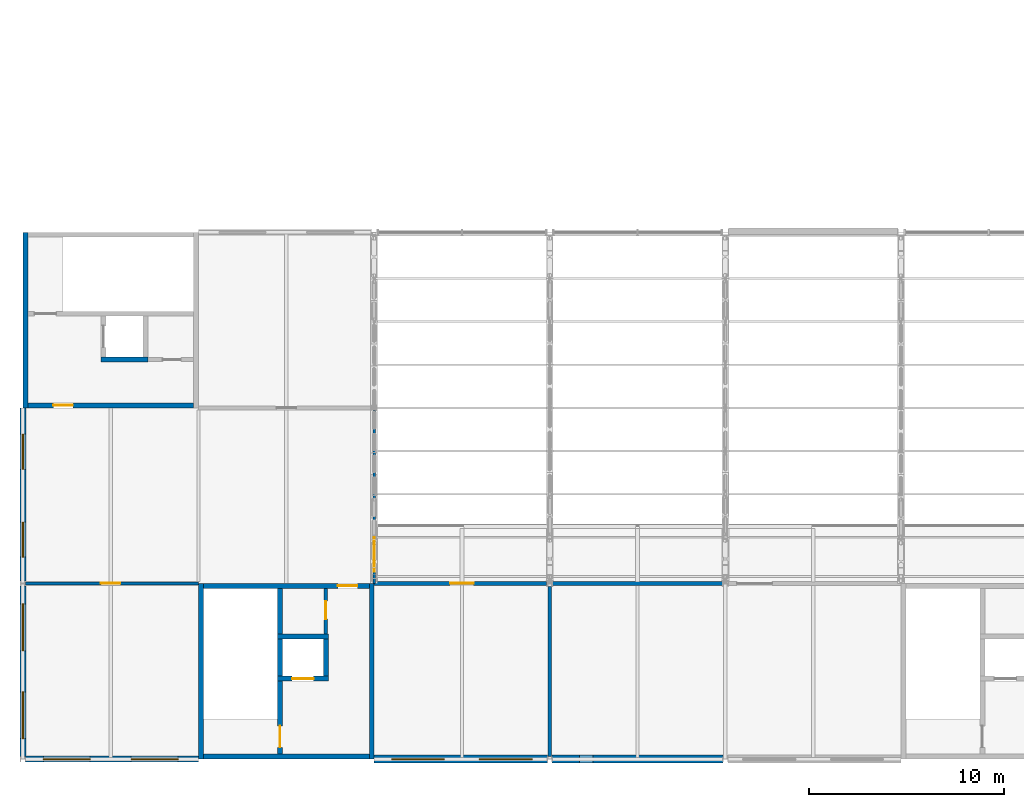
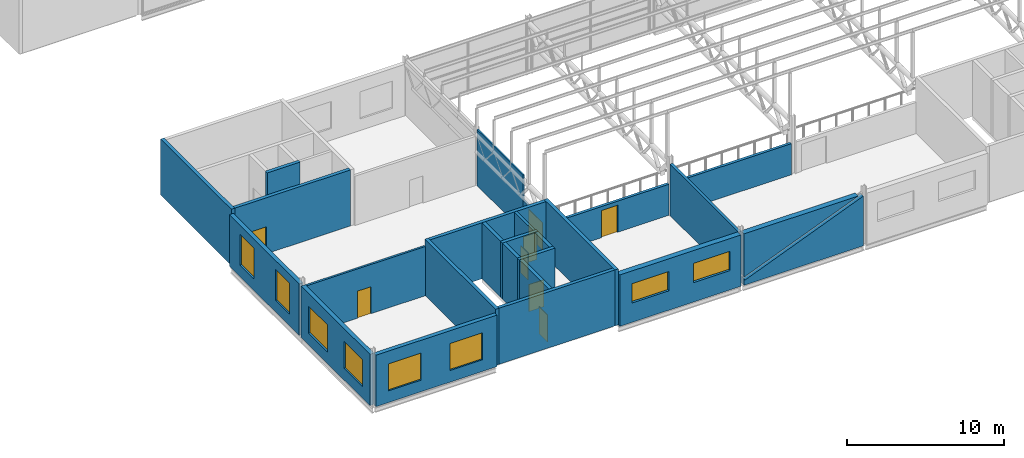
# One storey, part 111 of 138: 24 walls, 8 doors, 8 windows, 16 openings.
"""IFC4 building model written with IfcOpenShell, lengths in metres."""

from ifc_helpers import new_model, si_unit, direction, frame, frame_2d, origin, place, context, subcontext, project, spatial, polyline, rectangle, outline, extrude, material, layer, layer_set, type_object, element, fill, save


model = new_model("IFC4")

# Units and contexts
model_context = context("Model", 3, precision=1e-05, world=origin(), true_north=direction((0.0, 1.0)))
body_context = subcontext(model_context, "Body", "Model", "MODEL_VIEW")
ifc_project = project(units=[si_unit("LENGTHUNIT", "METRE"), si_unit("AREAUNIT", "SQUARE_METRE"), si_unit("VOLUMEUNIT", "CUBIC_METRE"), si_unit("PLANEANGLEUNIT", "RADIAN"), si_unit("MASSUNIT", "GRAM", prefix="KILO")], contexts=[model_context])

# Site, building, storey
site_placement = place(None, origin())
site = spatial("IfcSite", under=ifc_project, at=site_placement, CompositionType="ELEMENT")
building_placement = place(site_placement, origin())
building = spatial("IfcBuilding", under=site, at=building_placement, Name="Corbel Yard City Hall", CompositionType="ELEMENT")
storey_placement = place(building_placement, frame((0.0, 0.0, 10.5)))
storey = spatial("IfcBuildingStorey", under=building, at=storey_placement, Name="L02", CompositionType="ELEMENT", Elevation=10.5)

# Walls
ifc_material_1 = material(Name="Concrete N50 (50 MPa)", Category="concrete")
ifc_layer_1 = layer(ifc_material_1, 0.25)
ifc_layer_set_1 = layer_set([ifc_layer_1], Name="Concrete N50 (50 MPa)")
wall_type_1 = type_object("IfcWallType", Name="Core cell wall 250", PredefinedType="SHEAR", material=ifc_layer_set_1)
for number, where, z_axis, x_axis, name in (
    (1, (9.125, 0.0, 0.0), (0.0, 0.0, 1.0), (0.0, 1.0, 0.0), "Core PC-S0 west wall"),
    (2, (17.875, 0.0, 0.0), (0.0, 0.0, 1.0), (0.0, 1.0, 0.0), "Core PC-S0 east wall"),
):
    element("IfcWall", number, at=place(storey_placement, frame(where, z_axis=z_axis, x_axis=x_axis)), inside=storey, type_object=wall_type_1, Name=name, PredefinedType="SHEAR", context=body_context, shape_type="SweptSolid", body=[
        extrude(rectangle(XDim=9.0, YDim=0.25, at=frame_2d((4.5, 0.0))), origin(), (0.0, 0.0, 1.0), 4.35009765625),
    ])
wall_1_placement = place(storey_placement, frame((9.25, 0.125, 0.0), z_axis=(0.0, 0.0, 1.0), x_axis=(1.0, 0.0, 0.0)))
element("IfcWall", 3, at=wall_1_placement, inside=storey, type_object=wall_type_1, Name="Core PC-S0 south wall", PredefinedType="SHEAR", context=body_context, shape_type="SweptSolid", body=[
    extrude(rectangle(XDim=8.5, YDim=0.25, at=frame_2d((4.25, 0.0))), origin(), (0.0, 0.0, 1.0), 4.35009765625),
])

# Wall, opening, door
wall_2_placement = place(storey_placement, frame((9.25, 8.875, 0.0), z_axis=(0.0, 0.0, 1.0), x_axis=(1.0, 0.0, 0.0)))
wall_2 = element("IfcWall", 4, at=wall_2_placement, inside=storey, type_object=wall_type_1, Name="Core PC-S0 north wall", PredefinedType="SHEAR", context=body_context, shape_type="SweptSolid", body=[
    extrude(rectangle(XDim=8.5, YDim=0.25, at=frame_2d((4.25, 0.0))), origin(), (0.0, 0.0, 1.0), 4.35009765625),
])
opening_1_placement = place(wall_2_placement, frame((6.887451171875, 0.0, 0.0)))
opening_1 = element("IfcOpeningElement", 5, at=opening_1_placement, cuts=wall_2, Name="Opening L02-012", PredefinedType="OPENING", context=body_context, shape_type="SweptSolid", body=[
    extrude(rectangle(XDim=1.0, YDim=2.10009765625, at=frame_2d((0.5, 1.050048828125))), frame((0.0, 0.135009765625, 0.0), z_axis=(0.0, -1.0, 0.0), x_axis=(1.0, 0.0, 0.0)), (0.0, 0.0, 1.0), 0.27001953125),
])
ifc_material_2 = material(Name="Steel Grade G250", Category="steel")
door_type_1 = type_object("IfcDoorType", Name="FS1", OperationType="SINGLE_SWING_LEFT", PredefinedType="DOOR", material=ifc_material_2)
door_1_placement = place(opening_1_placement, frame((1.0, 0.0, 0.0), z_axis=(0.0, 0.0, 1.0), x_axis=(-1.0, 0.0, 0.0)))
door_1 = element("IfcDoor", 6, at=door_1_placement, inside=storey, type_object=door_type_1, Name="Door Lift Lobby", OperationType="SINGLE_SWING_RIGHT", OverallHeight=2.10009765625, OverallWidth=1.0, PredefinedType="DOOR", context=body_context, shape_type="SweptSolid", body=[
    extrude(rectangle(XDim=1.0, YDim=2.10009765625, at=frame_2d((0.5, 1.050048828125))), frame((0.0, 0.02490234375, 0.0), z_axis=(0.0, -1.0, 0.0), x_axis=(1.0, 0.0, 0.0)), (0.0, 0.0, 1.0), 0.050048828125),
])
fill(opening_1, door_1)

# Wall
wall_3_placement = place(storey_placement, frame((0.125, 18.0, 0.0), z_axis=(0.0, 0.0, 1.0), x_axis=(0.0, 1.0, 0.0)))
element("IfcWall", 7, at=wall_3_placement, inside=storey, type_object=wall_type_1, Name="Core PC-S5 west wall", PredefinedType="SHEAR", context=body_context, shape_type="SweptSolid", body=[
    extrude(rectangle(XDim=9.0, YDim=0.25, at=frame_2d((4.5, 0.0))), origin(), (0.0, 0.0, 1.0), 4.35009765625),
])

# Wall, opening, door
wall_4_placement = place(storey_placement, frame((0.25, 18.125, 0.0), z_axis=(0.0, 0.0, 1.0), x_axis=(1.0, 0.0, 0.0)))
wall_4 = element("IfcWall", 8, at=wall_4_placement, inside=storey, type_object=wall_type_1, Name="Core PC-S5 south wall", PredefinedType="SHEAR", context=body_context, shape_type="SweptSolid", body=[
    extrude(rectangle(XDim=8.5, YDim=0.25, at=frame_2d((4.25, 0.0))), origin(), (0.0, 0.0, 1.0), 4.35009765625),
])
opening_2_placement = place(wall_4_placement, frame((1.3125, 0.0, 0.0)))
opening_2 = element("IfcOpeningElement", 9, at=opening_2_placement, cuts=wall_4, Name="Opening L02-015", PredefinedType="OPENING", context=body_context, shape_type="SweptSolid", body=[
    extrude(rectangle(XDim=1.0, YDim=2.10009765625, at=frame_2d((0.5, 1.050048828125))), frame((0.0, 0.135009765625, 0.0), z_axis=(0.0, -1.0, 0.0), x_axis=(1.0, 0.0, 0.0)), (0.0, 0.0, 1.0), 0.27001953125),
])
door_2_placement = place(opening_2_placement, origin())
door_2 = element("IfcDoor", 10, at=door_2_placement, inside=storey, type_object=door_type_1, Name="Door Lift Lobby", OperationType="SINGLE_SWING_LEFT", OverallHeight=2.10009765625, OverallWidth=1.0, PredefinedType="DOOR", context=body_context, shape_type="SweptSolid", body=[
    extrude(rectangle(XDim=1.0, YDim=2.10009765625, at=frame_2d((0.5, 1.050048828125))), frame((0.0, 0.02490234375, 0.0), z_axis=(0.0, -1.0, 0.0), x_axis=(1.0, 0.0, 0.0)), (0.0, 0.0, 1.0), 0.050048828125),
])
fill(opening_2, door_2)

# Wall, openings, windows
ifc_material_3 = material(Name="Sandstone cladding", Category="masonry")
ifc_layer_2 = layer(ifc_material_3, 0.0400390625)
ifc_material_4 = material(Name="Air cavity", Category="air")
ifc_layer_3 = layer(ifc_material_4, 0.0400390625)
ifc_material_5 = material(Name="Concrete block", Category="concrete")
ifc_layer_4 = layer(ifc_material_5, 0.18994140625)
ifc_material_6 = material(Name="Gypsum plasterboard", Category="gypsum")
ifc_layer_5 = layer(ifc_material_6, 0.030029296875)
ifc_layer_set_2 = layer_set([ifc_layer_2, ifc_layer_3, ifc_layer_4, ifc_layer_5], Name="Concrete block")
wall_type_2 = type_object("IfcWallType", Name="EW1", PredefinedType="SOLIDWALL", material=ifc_layer_set_2)
wall_5_placement = place(storey_placement, frame((0.126953125, 0.0, 0.0), z_axis=(0.0, 0.0, 1.0), x_axis=(1.0, 0.0, 0.0)))
wall_5 = element("IfcWall", 11, at=wall_5_placement, inside=storey, type_object=wall_type_2, Name="External wall", PredefinedType="SOLIDWALL", context=body_context, shape_type="SweptSolid", body=[
    extrude(rectangle(XDim=8.873046875, YDim=0.300048828125, at=frame_2d((4.4365234375, 0.0))), origin(), (0.0, 0.0, 1.0), 3.990966796875),
])
opening_3_placement = place(wall_5_placement, frame((0.923095703125, 0.0, 0.89990234375)))
opening_3 = element("IfcOpeningElement", 12, at=opening_3_placement, cuts=wall_5, Name="Opening WN8", PredefinedType="OPENING", context=body_context, shape_type="SweptSolid", body=[
    extrude(rectangle(XDim=2.39990234375, YDim=2.10009765625, at=frame_2d((1.199951171875, 1.050048828125))), frame((0.0, 0.159912109375, 0.0), z_axis=(0.0, -1.0, 0.0), x_axis=(1.0, 0.0, 0.0)), (0.0, 0.0, 1.0), 0.320068359375),
])
opening_4_placement = place(wall_5_placement, frame((5.423095703125, 0.0, 0.89990234375)))
opening_4 = element("IfcOpeningElement", 13, at=opening_4_placement, cuts=wall_5, Name="Opening WN8", PredefinedType="OPENING", context=body_context, shape_type="SweptSolid", body=[
    extrude(rectangle(XDim=2.39990234375, YDim=2.10009765625, at=frame_2d((1.199951171875, 1.050048828125))), frame((0.0, 0.159912109375, 0.0), z_axis=(0.0, -1.0, 0.0), x_axis=(1.0, 0.0, 0.0)), (0.0, 0.0, 1.0), 0.320068359375),
])
ifc_material_7 = material(Name="Aluminium frame, double glazed low-e glass", Category="aluminium")
window_type_1 = type_object("IfcWindowType", Name="WN8", PartitioningType="SINGLE_PANEL", PredefinedType="WINDOW", material=ifc_material_7)
window_1_placement = place(opening_3_placement, origin())
window_1 = element("IfcWindow", 14, at=window_1_placement, inside=storey, type_object=window_type_1, Name="Window WN8 L02", OverallHeight=2.10009765625, OverallWidth=2.39990234375, PartitioningType="SINGLE_PANEL", PredefinedType="WINDOW", context=body_context, shape_type="SweptSolid", body=[
    extrude(rectangle(XDim=2.39990234375, YDim=2.10009765625, at=frame_2d((1.199951171875, 1.050048828125))), frame((0.0, 0.030029296875, 0.0), z_axis=(0.0, -1.0, 0.0), x_axis=(1.0, 0.0, 0.0)), (0.0, 0.0, 1.0), 0.06005859375),
])
fill(opening_3, window_1)
window_2_placement = place(opening_4_placement, origin())
window_2 = element("IfcWindow", 15, at=window_2_placement, inside=storey, type_object=window_type_1, Name="Window WN8 L02", OverallHeight=2.10009765625, OverallWidth=2.39990234375, PartitioningType="SINGLE_PANEL", PredefinedType="WINDOW", context=body_context, shape_type="SweptSolid", body=[
    extrude(rectangle(XDim=2.39990234375, YDim=2.10009765625, at=frame_2d((1.199951171875, 1.050048828125))), frame((0.0, 0.030029296875, 0.0), z_axis=(0.0, -1.0, 0.0), x_axis=(1.0, 0.0, 0.0)), (0.0, 0.0, 1.0), 0.06005859375),
])
fill(opening_4, window_2)

wall_6_placement = place(storey_placement, frame((0.0, 0.126953125, 0.0), z_axis=(0.0, 0.0, 1.0), x_axis=(0.0, 1.0, 0.0)))
wall_6 = element("IfcWall", 16, at=wall_6_placement, inside=storey, type_object=wall_type_2, Name="External wall", PredefinedType="SOLIDWALL", context=body_context, shape_type="SweptSolid", body=[
    extrude(rectangle(XDim=8.74609375, YDim=0.300048828125, at=frame_2d((4.373046875, 0.0))), origin(), (0.0, 0.0, 1.0), 3.990966796875),
])
opening_5_placement = place(wall_6_placement, frame((0.923095703125, 0.0, 0.89990234375)))
opening_5 = element("IfcOpeningElement", 17, at=opening_5_placement, cuts=wall_6, Name="Opening WN8", PredefinedType="OPENING", context=body_context, shape_type="SweptSolid", body=[
    extrude(rectangle(XDim=2.39990234375, YDim=2.10009765625, at=frame_2d((1.199951171875, 1.050048828125))), frame((0.0, 0.159912109375, 0.0), z_axis=(0.0, -1.0, 0.0), x_axis=(1.0, 0.0, 0.0)), (0.0, 0.0, 1.0), 0.320068359375),
])
opening_6_placement = place(wall_6_placement, frame((5.423095703125, 0.0, 0.89990234375)))
opening_6 = element("IfcOpeningElement", 18, at=opening_6_placement, cuts=wall_6, Name="Opening WN8", PredefinedType="OPENING", context=body_context, shape_type="SweptSolid", body=[
    extrude(rectangle(XDim=2.39990234375, YDim=2.10009765625, at=frame_2d((1.199951171875, 1.050048828125))), frame((0.0, 0.159912109375, 0.0), z_axis=(0.0, -1.0, 0.0), x_axis=(1.0, 0.0, 0.0)), (0.0, 0.0, 1.0), 0.320068359375),
])
window_3_placement = place(opening_5_placement, origin())
window_3 = element("IfcWindow", 19, at=window_3_placement, inside=storey, type_object=window_type_1, Name="Window WN8 L02", OverallHeight=2.10009765625, OverallWidth=2.39990234375, PartitioningType="SINGLE_PANEL", PredefinedType="WINDOW", context=body_context, shape_type="SweptSolid", body=[
    extrude(rectangle(XDim=2.39990234375, YDim=2.10009765625, at=frame_2d((1.199951171875, 1.050048828125))), frame((0.0, 0.030029296875, 0.0), z_axis=(0.0, -1.0, 0.0), x_axis=(1.0, 0.0, 0.0)), (0.0, 0.0, 1.0), 0.06005859375),
])
fill(opening_5, window_3)
window_4_placement = place(opening_6_placement, origin())
window_4 = element("IfcWindow", 20, at=window_4_placement, inside=storey, type_object=window_type_1, Name="Window WN8 L02", OverallHeight=2.10009765625, OverallWidth=2.39990234375, PartitioningType="SINGLE_PANEL", PredefinedType="WINDOW", context=body_context, shape_type="SweptSolid", body=[
    extrude(rectangle(XDim=2.39990234375, YDim=2.10009765625, at=frame_2d((1.199951171875, 1.050048828125))), frame((0.0, 0.030029296875, 0.0), z_axis=(0.0, -1.0, 0.0), x_axis=(1.0, 0.0, 0.0)), (0.0, 0.0, 1.0), 0.06005859375),
])
fill(opening_6, window_4)

ifc_layer_6 = layer(ifc_material_6, 0.031982421875)
ifc_layer_7 = layer(ifc_material_4, 0.133056640625)
ifc_layer_8 = layer(ifc_material_5, 0.18994140625)
ifc_material_8 = material(Name="Cement render", Category="render")
ifc_layer_9 = layer(ifc_material_8, 0.0400390625)
ifc_material_9 = material(Name="Acoustic sealant", Category="sealant")
ifc_layer_10 = layer(ifc_material_9, 0.0048828125)
ifc_layer_set_3 = layer_set([ifc_layer_6, ifc_layer_7, ifc_layer_8, ifc_layer_9, ifc_layer_10], Name="Concrete block")
wall_type_3 = type_object("IfcWallType", Name="EW3", PredefinedType="SOLIDWALL", material=ifc_layer_set_3)
wall_7_placement = place(storey_placement, frame((18.0, 0.0, 0.0), z_axis=(0.0, 0.0, 1.0), x_axis=(1.0, 0.0, 0.0)))
wall_7 = element("IfcWall", 21, at=wall_7_placement, inside=storey, type_object=wall_type_3, Name="Acoustic wall", PredefinedType="SOLIDWALL", context=body_context, shape_type="SweptSolid", body=[
    extrude(rectangle(XDim=8.873046875, YDim=0.39990234375, at=frame_2d((4.4365234375, 0.0))), origin(), (0.0, 0.0, 1.0), 3.990966796875),
])
opening_7_placement = place(wall_7_placement, frame((0.89990234375, 0.0, 1.5)))
opening_7 = element("IfcOpeningElement", 22, at=opening_7_placement, cuts=wall_7, Name="Opening WN3", PredefinedType="OPENING", context=body_context, shape_type="SweptSolid", body=[
    extrude(rectangle(XDim=2.699951171875, YDim=1.5, at=frame_2d((1.35009765625, 0.75))), frame((0.0, 0.2099609375, 0.0), z_axis=(0.0, -1.0, 0.0), x_axis=(1.0, 0.0, 0.0)), (0.0, 0.0, 1.0), 0.419921875),
])
opening_8_placement = place(wall_7_placement, frame((5.39990234375, 0.0, 1.5)))
opening_8 = element("IfcOpeningElement", 23, at=opening_8_placement, cuts=wall_7, Name="Opening WN3", PredefinedType="OPENING", context=body_context, shape_type="SweptSolid", body=[
    extrude(rectangle(XDim=2.699951171875, YDim=1.5, at=frame_2d((1.35009765625, 0.75))), frame((0.0, 0.2099609375, 0.0), z_axis=(0.0, -1.0, 0.0), x_axis=(1.0, 0.0, 0.0)), (0.0, 0.0, 1.0), 0.419921875),
])
ifc_material_10 = material(Name="Aluminium frame, laminated acoustic glass", Category="aluminium")
window_type_2 = type_object("IfcWindowType", Name="WN3", PartitioningType="SINGLE_PANEL", PredefinedType="WINDOW", material=ifc_material_10)
window_5_placement = place(opening_7_placement, origin())
window_5 = element("IfcWindow", 24, at=window_5_placement, inside=storey, type_object=window_type_2, Name="Window WN3 L02", OverallHeight=1.5, OverallWidth=2.699951171875, PartitioningType="SINGLE_PANEL", PredefinedType="WINDOW", context=body_context, shape_type="SweptSolid", body=[
    extrude(rectangle(XDim=2.699951171875, YDim=1.5, at=frame_2d((1.35009765625, 0.75))), frame((0.0, 0.030029296875, 0.0), z_axis=(0.0, -1.0, 0.0), x_axis=(1.0, 0.0, 0.0)), (0.0, 0.0, 1.0), 0.06005859375),
])
fill(opening_7, window_5)
window_6_placement = place(opening_8_placement, origin())
window_6 = element("IfcWindow", 25, at=window_6_placement, inside=storey, type_object=window_type_2, Name="Window WN3 L02", OverallHeight=1.5, OverallWidth=2.699951171875, PartitioningType="SINGLE_PANEL", PredefinedType="WINDOW", context=body_context, shape_type="SweptSolid", body=[
    extrude(rectangle(XDim=2.699951171875, YDim=1.5, at=frame_2d((1.35009765625, 0.75))), frame((0.0, 0.030029296875, 0.0), z_axis=(0.0, -1.0, 0.0), x_axis=(1.0, 0.0, 0.0)), (0.0, 0.0, 1.0), 0.06005859375),
])
fill(opening_8, window_6)

# Walls
wall_8_placement = place(storey_placement, frame((27.126953125, 0.0, 0.0), z_axis=(0.0, 0.0, 1.0), x_axis=(1.0, 0.0, 0.0)))
element("IfcWall", 26, at=wall_8_placement, inside=storey, type_object=wall_type_3, Name="Acoustic wall", PredefinedType="SOLIDWALL", context=body_context, shape_type="SweptSolid", body=[
    extrude(outline(polyline([(8.74609375, 0.0), (0.0, 0.0), (0.0, 0.5), (0.048095703125, 0.379638671875), (8.74609375, 3.8603515625), (8.74609375, 0.0)])), frame((0.0, 0.199951171875, 0.0), z_axis=(0.0, -1.0, 0.0), x_axis=(1.0, 0.0, 0.0)), (0.0, 0.0, 1.0), 0.39990234375),
])
wall_9_placement = place(storey_placement, frame((27.126953125, 0.0, 0.0), z_axis=(0.0, 0.0, 1.0), x_axis=(1.0, 0.0, 0.0)))
element("IfcWall", 27, at=wall_9_placement, inside=storey, type_object=wall_type_3, Name="Acoustic wall", PredefinedType="SOLIDWALL", context=body_context, shape_type="SweptSolid", body=[
    extrude(outline(polyline([(0.0, 3.990966796875), (8.374755859375, 3.990966796875), (0.0, 0.6396484375), (0.0, 3.990966796875)])), frame((0.0, 0.199951171875, 0.0), z_axis=(0.0, -1.0, 0.0), x_axis=(1.0, 0.0, 0.0)), (0.0, 0.0, 1.0), 0.39990234375),
])

# Wall, openings, windows
ifc_layer_11 = layer(ifc_material_3, 0.0400390625)
ifc_layer_12 = layer(ifc_material_4, 0.030029296875)
ifc_material_11 = material(Name="Concrete N40 (40 MPa)", Category="concrete")
ifc_layer_13 = layer(ifc_material_11, 0.18994140625)
ifc_layer_14 = layer(ifc_material_6, 0.0400390625)
ifc_layer_set_4 = layer_set([ifc_layer_11, ifc_layer_12, ifc_layer_13, ifc_layer_14], Name="Concrete N40 (40 MPa)")
wall_type_4 = type_object("IfcWallType", Name="EW7", PredefinedType="SOLIDWALL", material=ifc_layer_set_4)
wall_10_placement = place(storey_placement, frame((0.0, 9.126953125, 0.0), z_axis=(0.0, 0.0, 1.0), x_axis=(0.0, 1.0, 0.0)))
wall_10 = element("IfcWall", 28, at=wall_10_placement, inside=storey, type_object=wall_type_4, Name="Entrance pier wall", PredefinedType="SOLIDWALL", context=body_context, shape_type="SweptSolid", body=[
    extrude(rectangle(XDim=8.873046875, YDim=0.300048828125, at=frame_2d((4.4365234375, 0.0))), origin(), (0.0, 0.0, 1.0), 3.990966796875),
])
opening_9_placement = place(wall_10_placement, frame((1.222900390625, 0.0, 0.89990234375)))
opening_9 = element("IfcOpeningElement", 29, at=opening_9_placement, cuts=wall_10, Name="Opening WN1", PredefinedType="OPENING", context=body_context, shape_type="SweptSolid", body=[
    extrude(rectangle(XDim=1.800048828125, YDim=2.39990234375, at=frame_2d((0.89990234375, 1.199951171875))), frame((0.0, 0.159912109375, 0.0), z_axis=(0.0, -1.0, 0.0), x_axis=(1.0, 0.0, 0.0)), (0.0, 0.0, 1.0), 0.320068359375),
])
opening_10_placement = place(wall_10_placement, frame((5.722900390625, 0.0, 0.89990234375)))
opening_10 = element("IfcOpeningElement", 30, at=opening_10_placement, cuts=wall_10, Name="Opening WN1", PredefinedType="OPENING", context=body_context, shape_type="SweptSolid", body=[
    extrude(rectangle(XDim=1.800048828125, YDim=2.39990234375, at=frame_2d((0.89990234375, 1.199951171875))), frame((0.0, 0.159912109375, 0.0), z_axis=(0.0, -1.0, 0.0), x_axis=(1.0, 0.0, 0.0)), (0.0, 0.0, 1.0), 0.320068359375),
])
window_type_3 = type_object("IfcWindowType", Name="WN1", PartitioningType="SINGLE_PANEL", PredefinedType="WINDOW", material=ifc_material_7)
window_7_placement = place(opening_9_placement, origin())
window_7 = element("IfcWindow", 31, at=window_7_placement, inside=storey, type_object=window_type_3, Name="Window WN1 L02", OverallHeight=2.39990234375, OverallWidth=1.800048828125, PartitioningType="SINGLE_PANEL", PredefinedType="WINDOW", context=body_context, shape_type="SweptSolid", body=[
    extrude(rectangle(XDim=1.800048828125, YDim=2.39990234375, at=frame_2d((0.89990234375, 1.199951171875))), frame((0.0, 0.030029296875, 0.0), z_axis=(0.0, -1.0, 0.0), x_axis=(1.0, 0.0, 0.0)), (0.0, 0.0, 1.0), 0.06005859375),
])
fill(opening_9, window_7)
window_8_placement = place(opening_10_placement, origin())
window_8 = element("IfcWindow", 32, at=window_8_placement, inside=storey, type_object=window_type_3, Name="Window WN1 L02", OverallHeight=2.39990234375, OverallWidth=1.800048828125, PartitioningType="SINGLE_PANEL", PredefinedType="WINDOW", context=body_context, shape_type="SweptSolid", body=[
    extrude(rectangle(XDim=1.800048828125, YDim=2.39990234375, at=frame_2d((0.89990234375, 1.199951171875))), frame((0.0, 0.030029296875, 0.0), z_axis=(0.0, -1.0, 0.0), x_axis=(1.0, 0.0, 0.0)), (0.0, 0.0, 1.0), 0.06005859375),
])
fill(opening_10, window_8)

# Wall, opening, door
ifc_layer_15 = layer(ifc_material_11, 0.25)
ifc_layer_set_5 = layer_set([ifc_layer_15], Name="Concrete N40 (40 MPa)")
wall_type_5 = type_object("IfcWallType", Name="IW2", PredefinedType="SOLIDWALL", material=ifc_layer_set_5)
wall_11_placement = place(storey_placement, frame((13.175048828125, 0.25, 0.0), z_axis=(0.0, 0.0, 1.0), x_axis=(0.0, 1.0, 0.0)))
wall_11 = element("IfcWall", 33, at=wall_11_placement, inside=storey, type_object=wall_type_5, Name="Stair enclosure wall", PredefinedType="SOLIDWALL", context=body_context, shape_type="SweptSolid", body=[
    extrude(rectangle(XDim=8.5, YDim=0.25, at=frame_2d((4.25, 0.0))), origin(), (0.0, 0.0, 1.0), 4.35009765625),
])
opening_11_placement = place(wall_11_placement, frame((0.35009765625, 0.0, 0.0)))
opening_11 = element("IfcOpeningElement", 34, at=opening_11_placement, cuts=wall_11, Name="Opening L02-011", PredefinedType="OPENING", context=body_context, shape_type="SweptSolid", body=[
    extrude(rectangle(XDim=1.10009765625, YDim=2.10009765625, at=frame_2d((0.550048828125, 1.050048828125))), frame((0.0, 0.135009765625, 0.0), z_axis=(0.0, -1.0, 0.0), x_axis=(1.0, 0.0, 0.0)), (0.0, 0.0, 1.0), 0.27001953125),
])
door_type_2 = type_object("IfcDoorType", Name="FS11", OperationType="SINGLE_SWING_LEFT", PredefinedType="DOOR", material=ifc_material_2)
door_3_placement = place(opening_11_placement, origin())
door_3 = element("IfcDoor", 35, at=door_3_placement, inside=storey, type_object=door_type_2, Name="Door Exit Stair 1", OperationType="SINGLE_SWING_LEFT", OverallHeight=2.10009765625, OverallWidth=1.10009765625, PredefinedType="DOOR", context=body_context, shape_type="SweptSolid", body=[
    extrude(rectangle(XDim=1.10009765625, YDim=2.10009765625, at=frame_2d((0.550048828125, 1.050048828125))), frame((0.0, 0.02490234375, 0.0), z_axis=(0.0, -1.0, 0.0), x_axis=(1.0, 0.0, 0.0)), (0.0, 0.0, 1.0), 0.050048828125),
])
fill(opening_11, door_3)

wall_12_placement = place(storey_placement, frame((13.050048828125, 4.125, 0.0), z_axis=(0.0, 0.0, 1.0), x_axis=(1.0, 0.0, 0.0)))
wall_12 = element("IfcWall", 36, at=wall_12_placement, inside=storey, type_object=wall_type_5, Name="Lift LP1 shaft wall", PredefinedType="SOLIDWALL", context=body_context, shape_type="SweptSolid", body=[
    extrude(rectangle(XDim=2.599853515625, YDim=0.25, at=frame_2d((1.2998046875, 0.0))), origin(), (0.0, 0.0, 1.0), 4.35009765625),
])
opening_12_placement = place(wall_12_placement, frame((0.75, 0.0, 0.0)))
opening_12 = element("IfcOpeningElement", 37, at=opening_12_placement, cuts=wall_12, Name="Opening L02-001", PredefinedType="OPENING", context=body_context, shape_type="SweptSolid", body=[
    extrude(rectangle(XDim=1.10009765625, YDim=2.10009765625, at=frame_2d((0.550048828125, 1.050048828125))), frame((0.0, 0.135009765625, 0.0), z_axis=(0.0, -1.0, 0.0), x_axis=(1.0, 0.0, 0.0)), (0.0, 0.0, 1.0), 0.27001953125),
])
ifc_material_12 = material(Name="Stainless steel Grade 316", Category="steel")
door_type_3 = type_object("IfcDoorType", Name="LD1", OperationType="DOUBLE_DOOR_SLIDING", PredefinedType="DOOR", material=ifc_material_12)
door_4_placement = place(opening_12_placement, origin())
door_4 = element("IfcDoor", 38, at=door_4_placement, inside=storey, type_object=door_type_3, Name="Lift LP1 landing door", OperationType="DOUBLE_DOOR_SLIDING", OverallHeight=2.10009765625, OverallWidth=1.10009765625, PredefinedType="DOOR", context=body_context, shape_type="SweptSolid", body=[
    extrude(rectangle(XDim=1.10009765625, YDim=2.10009765625, at=frame_2d((0.550048828125, 1.050048828125))), frame((0.0, 0.02490234375, 0.0), z_axis=(0.0, -1.0, 0.0), x_axis=(1.0, 0.0, 0.0)), (0.0, 0.0, 1.0), 0.050048828125),
])
fill(opening_12, door_4)

# Walls
wall_13_placement = place(storey_placement, frame((13.050048828125, 6.27490234375, 0.0), z_axis=(0.0, 0.0, 1.0), x_axis=(1.0, 0.0, 0.0)))
element("IfcWall", 39, at=wall_13_placement, inside=storey, type_object=wall_type_5, Name="Lift LP1 shaft wall", PredefinedType="SOLIDWALL", context=body_context, shape_type="SweptSolid", body=[
    extrude(rectangle(XDim=2.599853515625, YDim=0.25, at=frame_2d((1.2998046875, 0.0))), origin(), (0.0, 0.0, 1.0), 4.35009765625),
])
wall_14_placement = place(storey_placement, frame((15.52490234375, 4.25, 0.0), z_axis=(0.0, 0.0, 1.0), x_axis=(0.0, 1.0, 0.0)))
element("IfcWall", 40, at=wall_14_placement, inside=storey, type_object=wall_type_5, Name="Lift LP1 shaft wall", PredefinedType="SOLIDWALL", context=body_context, shape_type="SweptSolid", body=[
    extrude(rectangle(XDim=1.89990234375, YDim=0.25, at=frame_2d((0.949951171875, 0.0))), origin(), (0.0, 0.0, 1.0), 4.35009765625),
])
wall_15_placement = place(storey_placement, frame((4.0, 20.47509765625, 0.0), z_axis=(0.0, 0.0, 1.0), x_axis=(1.0, 0.0, 0.0)))
element("IfcWall", 41, at=wall_15_placement, inside=storey, type_object=wall_type_5, Name="Lift LP6 shaft wall", PredefinedType="SOLIDWALL", context=body_context, shape_type="SweptSolid", body=[
    extrude(rectangle(XDim=2.39990234375, YDim=0.25, at=frame_2d((1.199951171875, 0.0))), origin(), (0.0, 0.0, 1.0), 4.35009765625),
])

# Wall, opening, door
ifc_layer_16 = layer(ifc_material_6, 0.028076171875)
ifc_material_13 = material(Name="Steel Grade G550 (550 MPa yield)", Category="steel")
ifc_layer_17 = layer(ifc_material_13, 0.06396484375)
ifc_layer_18 = layer(ifc_material_6, 0.028076171875)
ifc_layer_set_6 = layer_set([ifc_layer_16, ifc_layer_17, ifc_layer_18], Name="Steel Grade G550 (550 MPa yield)")
wall_type_6 = type_object("IfcWallType", Name="PT1", PredefinedType="PARTITIONING", material=ifc_layer_set_6)
wall_16_placement = place(storey_placement, frame((18.0, 9.0, 0.0), z_axis=(0.0, 0.0, 1.0), x_axis=(0.0, 1.0, 0.0)))
wall_16 = element("IfcWall", 42, at=wall_16_placement, inside=storey, type_object=wall_type_6, Name="Partition", PredefinedType="PARTITIONING", context=body_context, shape_type="SweptSolid", body=[
    extrude(rectangle(XDim=3.0, YDim=0.1201171875, at=frame_2d((1.5, 0.0))), origin(), (0.0, 0.0, 1.0), 2.414306640625),
])
opening_13_placement = place(wall_16_placement, frame((0.60009765625, 0.0, 0.0)))
opening_13 = element("IfcOpeningElement", 43, at=opening_13_placement, cuts=wall_16, Name="Opening L02-008", PredefinedType="OPENING", context=body_context, shape_type="SweptSolid", body=[
    extrude(rectangle(XDim=1.800048828125, YDim=2.10009765625, at=frame_2d((0.89990234375, 1.050048828125))), frame((0.0, 0.070068359375, 0.0), z_axis=(0.0, -1.0, 0.0), x_axis=(1.0, 0.0, 0.0)), (0.0, 0.0, 1.0), 0.14013671875),
])
ifc_material_14 = material(Name="Timber", Category="wood")
door_type_4 = type_object("IfcDoorType", Name="D3", OperationType="DOUBLE_DOOR_SINGLE_SWING", PredefinedType="DOOR", material=ifc_material_14)
door_5_placement = place(opening_13_placement, origin())
door_5 = element("IfcDoor", 44, at=door_5_placement, inside=storey, type_object=door_type_4, Name="Door Link Foyer", OperationType="DOUBLE_DOOR_SINGLE_SWING", OverallHeight=2.10009765625, OverallWidth=1.800048828125, PredefinedType="DOOR", context=body_context, shape_type="SweptSolid", body=[
    extrude(rectangle(XDim=1.800048828125, YDim=2.10009765625, at=frame_2d((0.89990234375, 1.050048828125))), frame((0.0, 0.02490234375, 0.0), z_axis=(0.0, -1.0, 0.0), x_axis=(1.0, 0.0, 0.0)), (0.0, 0.0, 1.0), 0.050048828125),
])
fill(opening_13, door_5)

# Wall
wall_17_placement = place(storey_placement, frame((18.0, 12.0, 0.0), z_axis=(0.0, 0.0, 1.0), x_axis=(0.0, 1.0, 0.0)))
element("IfcWall", 45, at=wall_17_placement, inside=storey, type_object=wall_type_6, Name="Partition", PredefinedType="PARTITIONING", context=body_context, shape_type="SweptSolid", body=[
    extrude(rectangle(XDim=5.8701171875, YDim=0.1201171875, at=frame_2d((2.93505859375, 0.0))), origin(), (0.0, 0.0, 1.0), 4.35009765625),
])

# Wall, opening, door
ifc_layer_19 = layer(ifc_material_6, 0.031982421875)
ifc_layer_20 = layer(ifc_material_13, 0.135986328125)
ifc_layer_21 = layer(ifc_material_6, 0.031982421875)
ifc_layer_set_7 = layer_set([ifc_layer_19, ifc_layer_20, ifc_layer_21], Name="Steel Grade G550 (550 MPa yield)")
wall_type_7 = type_object("IfcWallType", Name="PT2", PredefinedType="PARTITIONING", material=ifc_layer_set_7)
wall_18_placement = place(storey_placement, frame((18.0, 9.0, 0.0), z_axis=(0.0, 0.0, 1.0), x_axis=(1.0, 0.0, 0.0)))
wall_18 = element("IfcWall", 46, at=wall_18_placement, inside=storey, type_object=wall_type_7, Name="Acoustic wall", PredefinedType="PARTITIONING", context=body_context, shape_type="SweptSolid", body=[
    extrude(rectangle(XDim=8.845947265625, YDim=0.199951171875, at=frame_2d((4.4228515625, 0.0))), origin(), (0.0, 0.0, 1.0), 2.414306640625),
])
opening_14_placement = place(wall_18_placement, frame((3.89990234375, 0.0, 0.0)))
opening_14 = element("IfcOpeningElement", 47, at=opening_14_placement, cuts=wall_18, Name="Opening L02-029", PredefinedType="OPENING", context=body_context, shape_type="SweptSolid", body=[
    extrude(rectangle(XDim=1.199951171875, YDim=2.10009765625, at=frame_2d((0.60009765625, 1.050048828125))), frame((0.0, 0.10986328125, 0.0), z_axis=(0.0, -1.0, 0.0), x_axis=(1.0, 0.0, 0.0)), (0.0, 0.0, 1.0), 0.219970703125),
])
door_type_5 = type_object("IfcDoorType", Name="D7", OperationType="SINGLE_SWING_LEFT", PredefinedType="DOOR", material=ifc_material_14)
door_6_placement = place(opening_14_placement, frame((1.199951171875, 0.0, 0.0), z_axis=(0.0, 0.0, 1.0), x_axis=(-1.0, 0.0, 0.0)))
door_6 = element("IfcDoor", 48, at=door_6_placement, inside=storey, type_object=door_type_5, Name="Door Training Room 1", OperationType="SINGLE_SWING_LEFT", OverallHeight=2.10009765625, OverallWidth=1.199951171875, PredefinedType="DOOR", context=body_context, shape_type="SweptSolid", body=[
    extrude(rectangle(XDim=1.199951171875, YDim=2.10009765625, at=frame_2d((0.60009765625, 1.050048828125))), frame((0.0, 0.02490234375, 0.0), z_axis=(0.0, -1.0, 0.0), x_axis=(1.0, 0.0, 0.0)), (0.0, 0.0, 1.0), 0.050048828125),
])
fill(opening_14, door_6)

# Walls
wall_19_placement = place(storey_placement, frame((27.154052734375, 9.0, 0.0), z_axis=(0.0, 0.0, 1.0), x_axis=(1.0, 0.0, 0.0)))
element("IfcWall", 49, at=wall_19_placement, inside=storey, type_object=wall_type_7, Name="Acoustic wall", PredefinedType="PARTITIONING", context=body_context, shape_type="SweptSolid", body=[
    extrude(rectangle(XDim=8.69189453125, YDim=0.199951171875, at=frame_2d((4.345947265625, 0.0))), origin(), (0.0, 0.0, 1.0), 2.414306640625),
])
wall_20_placement = place(storey_placement, frame((27.0, 0.126953125, 0.0), z_axis=(0.0, 0.0, 1.0), x_axis=(0.0, 1.0, 0.0)))
element("IfcWall", 50, at=wall_20_placement, inside=storey, type_object=wall_type_7, Name="Acoustic wall", PredefinedType="PARTITIONING", context=body_context, shape_type="SweptSolid", body=[
    extrude(rectangle(XDim=8.718994140625, YDim=0.199951171875, at=frame_2d((4.359375, 0.0))), origin(), (0.0, 0.0, 1.0), 3.998046875),
])

# Wall, opening, door
ifc_material_15 = material(Name="Concrete block", Category="concrete")
ifc_layer_22 = layer(ifc_material_15, 0.18994140625)
ifc_layer_set_8 = layer_set([ifc_layer_22], Name="Concrete block")
wall_type_8 = type_object("IfcWallType", Name="PT4", PredefinedType="PARTITIONING", material=ifc_layer_set_8)
wall_21_placement = place(storey_placement, frame((15.52490234375, 6.39990234375, 0.0), z_axis=(0.0, 0.0, 1.0), x_axis=(0.0, 1.0, 0.0)))
wall_21 = element("IfcWall", 51, at=wall_21_placement, inside=storey, type_object=wall_type_8, Name="Fire-resisting block wall", PredefinedType="PARTITIONING", context=body_context, shape_type="SweptSolid", body=[
    extrude(rectangle(XDim=2.35009765625, YDim=0.18994140625, at=frame_2d((1.175048828125, 0.0))), origin(), (0.0, 0.0, 1.0), 4.35009765625),
])
opening_15_placement = place(wall_21_placement, frame((0.777587890625, 0.0, 0.0)))
opening_15 = element("IfcOpeningElement", 52, at=opening_15_placement, cuts=wall_21, Name="Opening L02-013", PredefinedType="OPENING", context=body_context, shape_type="SweptSolid", body=[
    extrude(rectangle(XDim=0.919921875, YDim=2.10009765625, at=frame_2d((0.4599609375, 1.050048828125))), frame((0.0, 0.10498046875, 0.0), z_axis=(0.0, -1.0, 0.0), x_axis=(1.0, 0.0, 0.0)), (0.0, 0.0, 1.0), 0.2099609375),
])
door_type_6 = type_object("IfcDoorType", Name="FS5", OperationType="SINGLE_SWING_RIGHT", PredefinedType="DOOR", material=ifc_material_2)
door_7_placement = place(opening_15_placement, origin())
door_7 = element("IfcDoor", 53, at=door_7_placement, inside=storey, type_object=door_type_6, Name="Door Service Riser", OperationType="SINGLE_SWING_RIGHT", OverallHeight=2.10009765625, OverallWidth=0.919921875, PredefinedType="DOOR", context=body_context, shape_type="SweptSolid", body=[
    extrude(rectangle(XDim=0.919921875, YDim=2.10009765625, at=frame_2d((0.4599609375, 1.050048828125))), frame((0.0, 0.02490234375, 0.0), z_axis=(0.0, -1.0, 0.0), x_axis=(1.0, 0.0, 0.0)), (0.0, 0.0, 1.0), 0.050048828125),
])
fill(opening_15, door_7)

ifc_layer_23 = layer(ifc_material_6, 0.031982421875)
ifc_layer_24 = layer(ifc_material_13, 0.0859375)
ifc_layer_25 = layer(ifc_material_6, 0.031982421875)
ifc_layer_set_9 = layer_set([ifc_layer_23, ifc_layer_24, ifc_layer_25], Name="Steel Grade G550 (550 MPa yield)")
wall_type_9 = type_object("IfcWallType", Name="PT7", PredefinedType="PARTITIONING", material=ifc_layer_set_9)
wall_22_placement = place(storey_placement, frame((0.126953125, 9.0, 0.0), z_axis=(0.0, 0.0, 1.0), x_axis=(1.0, 0.0, 0.0)))
wall_22 = element("IfcWall", 54, at=wall_22_placement, inside=storey, type_object=wall_type_9, Name="Suite partition", PredefinedType="PARTITIONING", context=body_context, shape_type="SweptSolid", body=[
    extrude(rectangle(XDim=8.873046875, YDim=0.14990234375, at=frame_2d((4.4365234375, 0.0))), origin(), (0.0, 0.0, 1.0), 3.822021484375),
])
opening_16_placement = place(wall_22_placement, frame((3.873046875, 0.0, 0.0)))
opening_16 = element("IfcOpeningElement", 55, at=opening_16_placement, cuts=wall_22, Name="Opening L02-009", PredefinedType="OPENING", context=body_context, shape_type="SweptSolid", body=[
    extrude(rectangle(XDim=1.0, YDim=2.10009765625, at=frame_2d((0.5, 1.050048828125))), frame((0.0, 0.0849609375, 0.0), z_axis=(0.0, -1.0, 0.0), x_axis=(1.0, 0.0, 0.0)), (0.0, 0.0, 1.0), 0.169921875),
])
door_type_7 = type_object("IfcDoorType", Name="D1", OperationType="SINGLE_SWING_LEFT", PredefinedType="DOOR", material=ifc_material_14)
door_8_placement = place(opening_16_placement, frame((1.0, 0.0, 0.0), z_axis=(0.0, 0.0, 1.0), x_axis=(-1.0, 0.0, 0.0)))
door_8 = element("IfcDoor", 56, at=door_8_placement, inside=storey, type_object=door_type_7, Name="Door Meeting Room 2", OperationType="SINGLE_SWING_RIGHT", OverallHeight=2.10009765625, OverallWidth=1.0, PredefinedType="DOOR", context=body_context, shape_type="SweptSolid", body=[
    extrude(rectangle(XDim=1.0, YDim=2.10009765625, at=frame_2d((0.5, 1.050048828125))), frame((0.0, 0.02490234375, 0.0), z_axis=(0.0, -1.0, 0.0), x_axis=(1.0, 0.0, 0.0)), (0.0, 0.0, 1.0), 0.050048828125),
])
fill(opening_16, door_8)

save(model, "model.ifc")
